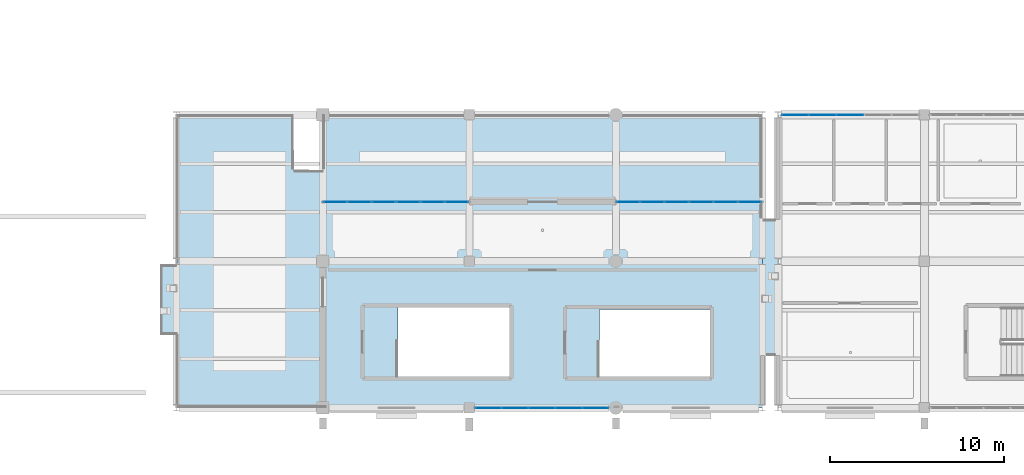
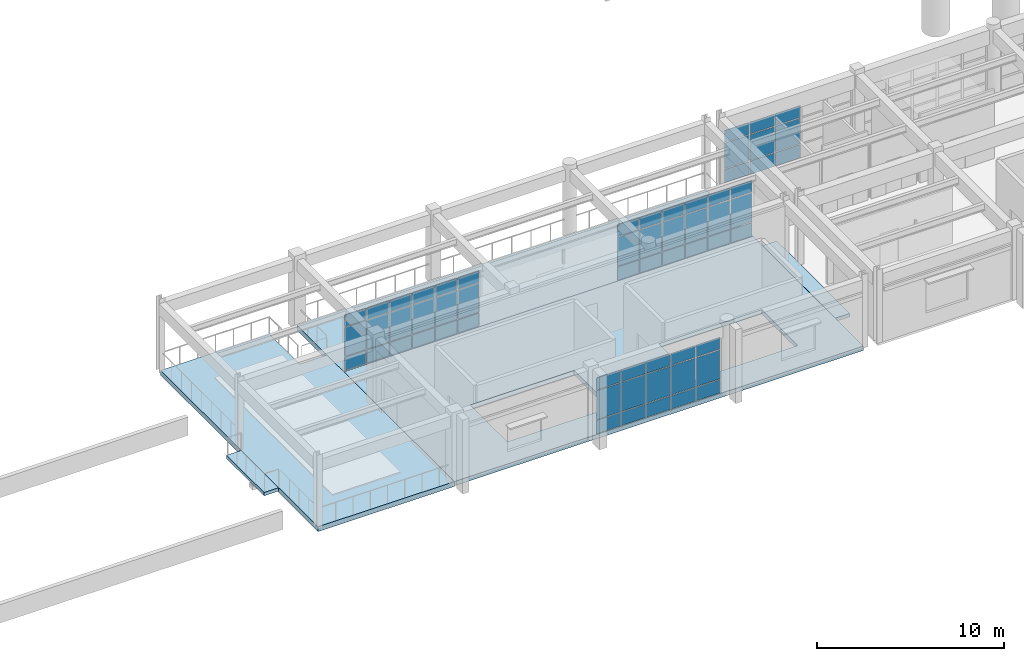
# One storey, part 90 of 139: 60 plates, 5 slabs, 4 elements without a shape of their own.
"""IFC4 building model written with IfcOpenShell, lengths in metres."""

from ifc_helpers import new_model, si_unit, direction, frame, origin, origin_2d, place, context, subcontext, project, spatial, polyline, rectangle, outline, extrude, material, layer, layer_set, type_object, element, aggregate, save


model = new_model("IFC4")

# Units and contexts
model_context = context("Model", 3, precision=1e-05, world=origin(), true_north=direction((0.0, 1.0)))
body_context = subcontext(model_context, "Body", "Model", "MODEL_VIEW")
ifc_project = project(units=[si_unit("LENGTHUNIT", "METRE"), si_unit("AREAUNIT", "SQUARE_METRE"), si_unit("VOLUMEUNIT", "CUBIC_METRE"), si_unit("PLANEANGLEUNIT", "RADIAN"), si_unit("MASSUNIT", "GRAM", prefix="KILO")], contexts=[model_context])

# Site, building, storey
site_placement = place(None, origin())
site = spatial("IfcSite", under=ifc_project, at=site_placement, CompositionType="ELEMENT")
building_placement = place(site_placement, origin())
building = spatial("IfcBuilding", under=site, at=building_placement, Name="Canglan Escarpment Cableway Terminal", CompositionType="ELEMENT")
storey_placement = place(building_placement, frame((0.0, 0.0, 14.39990234375)))
storey = spatial("IfcBuildingStorey", under=building, at=storey_placement, Name="L03", CompositionType="ELEMENT", Elevation=14.39990234375)

# Curtain wall, plates
ifc_material_1 = material(Name="Anodized bronze aluminium and Low-E double glazing", Category="aluminium")
curtain_wall_type_1 = type_object("IfcCurtainWallType", Name="CW-BAY-8400x3725", PredefinedType="NOTDEFINED", material=ifc_material_1)
curtain_wall_1_placement = place(storey_placement, origin())
curtain_wall_1 = element("IfcCurtainWall", 1, at=curtain_wall_1_placement, inside=storey, type_object=curtain_wall_type_1, Name="Classical bay-between-piers glazed curtain wall CW-14", PredefinedType="NOTDEFINED")
ifc_material_2 = material(Name="Double-silver Low-E laminated insulating glass", Category="glass")
ifc_layer_1 = layer(ifc_material_2, 0.028076171875, Name="Double-silver Low-E laminated insulating glass")
ifc_layer_set_1 = layer_set([ifc_layer_1], Name="Double-silver Low-E laminated insulating glass")
plate_type_1 = type_object("IfcPlateType", Name="CWP-02", PredefinedType="CURTAIN_PANEL", material=ifc_layer_set_1)
plate_1_placement = place(storey_placement, frame((93.083740234375, 19.800048828125, 0.065185546875), z_axis=(0.0, 0.0, 1.0), x_axis=(-1.0, 0.0, 0.0)))
plate_1 = element("IfcPlate", 2, at=plate_1_placement, type_object=plate_type_1, Name="CW-14 panel 1.1", PredefinedType="CURTAIN_PANEL", context=body_context, shape_type="SweptSolid", body=[
    extrude(rectangle(XDim=1.302490234375, YDim=0.028076171875, at=origin_2d()), origin(), (0.0, 0.0, 1.0), 0.8525390625),
])
plate_2_placement = place(storey_placement, frame((93.083740234375, 19.800048828125, 0.982421875), z_axis=(0.0, 0.0, 1.0), x_axis=(-1.0, 0.0, 0.0)))
plate_2 = element("IfcPlate", 3, at=plate_2_placement, type_object=plate_type_1, Name="CW-14 panel 1.2", PredefinedType="CURTAIN_PANEL", context=body_context, shape_type="SweptSolid", body=[
    extrude(rectangle(XDim=1.302490234375, YDim=0.028076171875, at=origin_2d()), origin(), (0.0, 0.0, 1.0), 1.8701171875),
])
plate_3_placement = place(storey_placement, frame((93.083740234375, 19.800048828125, 2.917724609375), z_axis=(0.0, 0.0, 1.0), x_axis=(-1.0, 0.0, 0.0)))
plate_3 = element("IfcPlate", 4, at=plate_3_placement, type_object=plate_type_1, Name="CW-14 panel 1.3", PredefinedType="CURTAIN_PANEL", context=body_context, shape_type="SweptSolid", body=[
    extrude(rectangle(XDim=1.302490234375, YDim=0.028076171875, at=origin_2d()), origin(), (0.0, 0.0, 1.0), 0.75244140625),
])
plate_4_placement = place(storey_placement, frame((91.699951171875, 19.800048828125, 0.065185546875), z_axis=(0.0, 0.0, 1.0), x_axis=(-1.0, 0.0, 0.0)))
plate_4 = element("IfcPlate", 5, at=plate_4_placement, type_object=plate_type_1, Name="CW-14 panel 2.1", PredefinedType="CURTAIN_PANEL", context=body_context, shape_type="SweptSolid", body=[
    extrude(rectangle(XDim=1.3349609375, YDim=0.028076171875, at=origin_2d()), origin(), (0.0, 0.0, 1.0), 0.8525390625),
])
plate_5_placement = place(storey_placement, frame((91.699951171875, 19.800048828125, 0.982421875), z_axis=(0.0, 0.0, 1.0), x_axis=(-1.0, 0.0, 0.0)))
plate_5 = element("IfcPlate", 6, at=plate_5_placement, type_object=plate_type_1, Name="CW-14 panel 2.2", PredefinedType="CURTAIN_PANEL", context=body_context, shape_type="SweptSolid", body=[
    extrude(rectangle(XDim=1.3349609375, YDim=0.028076171875, at=origin_2d()), origin(), (0.0, 0.0, 1.0), 1.8701171875),
])
plate_6_placement = place(storey_placement, frame((91.699951171875, 19.800048828125, 2.917724609375), z_axis=(0.0, 0.0, 1.0), x_axis=(-1.0, 0.0, 0.0)))
plate_6 = element("IfcPlate", 7, at=plate_6_placement, type_object=plate_type_1, Name="CW-14 panel 2.3", PredefinedType="CURTAIN_PANEL", context=body_context, shape_type="SweptSolid", body=[
    extrude(rectangle(XDim=1.3349609375, YDim=0.028076171875, at=origin_2d()), origin(), (0.0, 0.0, 1.0), 0.75244140625),
])
plate_7_placement = place(storey_placement, frame((90.300048828125, 19.800048828125, 0.065185546875), z_axis=(0.0, 0.0, 1.0), x_axis=(-1.0, 0.0, 0.0)))
plate_7 = element("IfcPlate", 8, at=plate_7_placement, type_object=plate_type_1, Name="CW-14 panel 3.1", PredefinedType="CURTAIN_PANEL", context=body_context, shape_type="SweptSolid", body=[
    extrude(rectangle(XDim=1.3349609375, YDim=0.028076171875, at=origin_2d()), origin(), (0.0, 0.0, 1.0), 0.8525390625),
])
plate_8_placement = place(storey_placement, frame((90.300048828125, 19.800048828125, 0.982421875), z_axis=(0.0, 0.0, 1.0), x_axis=(-1.0, 0.0, 0.0)))
plate_8 = element("IfcPlate", 9, at=plate_8_placement, type_object=plate_type_1, Name="CW-14 panel 3.2", PredefinedType="CURTAIN_PANEL", context=body_context, shape_type="SweptSolid", body=[
    extrude(rectangle(XDim=1.3349609375, YDim=0.028076171875, at=origin_2d()), origin(), (0.0, 0.0, 1.0), 1.8701171875),
])
plate_9_placement = place(storey_placement, frame((90.300048828125, 19.800048828125, 2.917724609375), z_axis=(0.0, 0.0, 1.0), x_axis=(-1.0, 0.0, 0.0)))
plate_9 = element("IfcPlate", 10, at=plate_9_placement, type_object=plate_type_1, Name="CW-14 panel 3.3", PredefinedType="CURTAIN_PANEL", context=body_context, shape_type="SweptSolid", body=[
    extrude(rectangle(XDim=1.3349609375, YDim=0.028076171875, at=origin_2d()), origin(), (0.0, 0.0, 1.0), 0.75244140625),
])
plate_10_placement = place(storey_placement, frame((88.89990234375, 19.800048828125, 0.065185546875), z_axis=(0.0, 0.0, 1.0), x_axis=(-1.0, 0.0, 0.0)))
plate_10 = element("IfcPlate", 11, at=plate_10_placement, type_object=plate_type_1, Name="CW-14 panel 4.1", PredefinedType="CURTAIN_PANEL", context=body_context, shape_type="SweptSolid", body=[
    extrude(rectangle(XDim=1.3349609375, YDim=0.028076171875, at=origin_2d()), origin(), (0.0, 0.0, 1.0), 0.8525390625),
])
plate_11_placement = place(storey_placement, frame((88.89990234375, 19.800048828125, 0.982421875), z_axis=(0.0, 0.0, 1.0), x_axis=(-1.0, 0.0, 0.0)))
plate_11 = element("IfcPlate", 12, at=plate_11_placement, type_object=plate_type_1, Name="CW-14 panel 4.2", PredefinedType="CURTAIN_PANEL", context=body_context, shape_type="SweptSolid", body=[
    extrude(rectangle(XDim=1.3349609375, YDim=0.028076171875, at=origin_2d()), origin(), (0.0, 0.0, 1.0), 1.8701171875),
])
plate_12_placement = place(storey_placement, frame((88.89990234375, 19.800048828125, 2.917724609375), z_axis=(0.0, 0.0, 1.0), x_axis=(-1.0, 0.0, 0.0)))
plate_12 = element("IfcPlate", 13, at=plate_12_placement, type_object=plate_type_1, Name="CW-14 panel 4.3", PredefinedType="CURTAIN_PANEL", context=body_context, shape_type="SweptSolid", body=[
    extrude(rectangle(XDim=1.3349609375, YDim=0.028076171875, at=origin_2d()), origin(), (0.0, 0.0, 1.0), 0.75244140625),
])
plate_13_placement = place(storey_placement, frame((87.5, 19.800048828125, 0.065185546875), z_axis=(0.0, 0.0, 1.0), x_axis=(-1.0, 0.0, 0.0)))
plate_13 = element("IfcPlate", 14, at=plate_13_placement, type_object=plate_type_1, Name="CW-14 panel 5.1", PredefinedType="CURTAIN_PANEL", context=body_context, shape_type="SweptSolid", body=[
    extrude(rectangle(XDim=1.3349609375, YDim=0.028076171875, at=origin_2d()), origin(), (0.0, 0.0, 1.0), 0.8525390625),
])
plate_14_placement = place(storey_placement, frame((87.5, 19.800048828125, 0.982421875), z_axis=(0.0, 0.0, 1.0), x_axis=(-1.0, 0.0, 0.0)))
plate_14 = element("IfcPlate", 15, at=plate_14_placement, type_object=plate_type_1, Name="CW-14 panel 5.2", PredefinedType="CURTAIN_PANEL", context=body_context, shape_type="SweptSolid", body=[
    extrude(rectangle(XDim=1.3349609375, YDim=0.028076171875, at=origin_2d()), origin(), (0.0, 0.0, 1.0), 1.8701171875),
])
plate_15_placement = place(storey_placement, frame((87.5, 19.800048828125, 2.917724609375), z_axis=(0.0, 0.0, 1.0), x_axis=(-1.0, 0.0, 0.0)))
plate_15 = element("IfcPlate", 16, at=plate_15_placement, type_object=plate_type_1, Name="CW-14 panel 5.3", PredefinedType="CURTAIN_PANEL", context=body_context, shape_type="SweptSolid", body=[
    extrude(rectangle(XDim=1.3349609375, YDim=0.028076171875, at=origin_2d()), origin(), (0.0, 0.0, 1.0), 0.75244140625),
])
plate_16_placement = place(storey_placement, frame((86.1162109375, 19.800048828125, 0.065185546875), z_axis=(0.0, 0.0, 1.0), x_axis=(-1.0, 0.0, 0.0)))
plate_16 = element("IfcPlate", 17, at=plate_16_placement, type_object=plate_type_1, Name="CW-14 panel 6.1", PredefinedType="CURTAIN_PANEL", context=body_context, shape_type="SweptSolid", body=[
    extrude(rectangle(XDim=1.302490234375, YDim=0.028076171875, at=origin_2d()), origin(), (0.0, 0.0, 1.0), 0.8525390625),
])
plate_17_placement = place(storey_placement, frame((86.1162109375, 19.800048828125, 0.982421875), z_axis=(0.0, 0.0, 1.0), x_axis=(-1.0, 0.0, 0.0)))
plate_17 = element("IfcPlate", 18, at=plate_17_placement, type_object=plate_type_1, Name="CW-14 panel 6.2", PredefinedType="CURTAIN_PANEL", context=body_context, shape_type="SweptSolid", body=[
    extrude(rectangle(XDim=1.302490234375, YDim=0.028076171875, at=origin_2d()), origin(), (0.0, 0.0, 1.0), 1.8701171875),
])
plate_18_placement = place(storey_placement, frame((86.1162109375, 19.800048828125, 2.917724609375), z_axis=(0.0, 0.0, 1.0), x_axis=(-1.0, 0.0, 0.0)))
plate_18 = element("IfcPlate", 19, at=plate_18_placement, type_object=plate_type_1, Name="CW-14 panel 6.3", PredefinedType="CURTAIN_PANEL", context=body_context, shape_type="SweptSolid", body=[
    extrude(rectangle(XDim=1.302490234375, YDim=0.028076171875, at=origin_2d()), origin(), (0.0, 0.0, 1.0), 0.75244140625),
])
aggregate(curtain_wall_1, [plate_1, plate_2, plate_3, plate_4, plate_5, plate_6, plate_7, plate_8, plate_9, plate_10, plate_11, plate_12, plate_13, plate_14, plate_15, plate_16, plate_17, plate_18])

curtain_wall_type_2 = type_object("IfcCurtainWallType", Name="CW-BAY-7725x3725", PredefinedType="NOTDEFINED", material=ifc_material_1)
curtain_wall_2_placement = place(storey_placement, origin())
curtain_wall_2 = element("IfcCurtainWall", 20, at=curtain_wall_2_placement, inside=storey, type_object=curtain_wall_type_2, Name="Classical bay-between-piers glazed curtain wall CW-13", PredefinedType="NOTDEFINED")
ifc_layer_2 = layer(ifc_material_2, 0.031982421875, Name="Double-silver Low-E laminated insulating glass")
ifc_layer_set_2 = layer_set([ifc_layer_2], Name="Double-silver Low-E laminated insulating glass")
plate_type_2 = type_object("IfcPlateType", Name="CWP-03", PredefinedType="CURTAIN_PANEL", material=ifc_layer_set_2)
plate_19_placement = place(storey_placement, frame((94.887451171875, 8.0, 0.05517578125), z_axis=(0.0, 0.0, 1.0), x_axis=(1.0, 0.0, 0.0)))
plate_19 = element("IfcPlate", 21, at=plate_19_placement, type_object=plate_type_2, Name="CW-13 panel 1.1", PredefinedType="CURTAIN_PANEL", context=body_context, shape_type="SweptSolid", body=[
    extrude(rectangle(XDim=1.455078125, YDim=0.031982421875, at=origin_2d()), origin(), (0.0, 0.0, 1.0), 0.867431640625),
])
plate_20_placement = place(storey_placement, frame((94.887451171875, 8.0, 0.9775390625), z_axis=(0.0, 0.0, 1.0), x_axis=(1.0, 0.0, 0.0)))
plate_20 = element("IfcPlate", 22, at=plate_20_placement, type_object=plate_type_2, Name="CW-13 panel 1.2", PredefinedType="CURTAIN_PANEL", context=body_context, shape_type="SweptSolid", body=[
    extrude(rectangle(XDim=1.455078125, YDim=0.031982421875, at=origin_2d()), origin(), (0.0, 0.0, 1.0), 1.8798828125),
])
plate_21_placement = place(storey_placement, frame((94.887451171875, 8.0, 2.91259765625), z_axis=(0.0, 0.0, 1.0), x_axis=(1.0, 0.0, 0.0)))
plate_21 = element("IfcPlate", 23, at=plate_21_placement, type_object=plate_type_2, Name="CW-13 panel 1.3", PredefinedType="CURTAIN_PANEL", context=body_context, shape_type="SweptSolid", body=[
    extrude(rectangle(XDim=1.455078125, YDim=0.031982421875, at=origin_2d()), origin(), (0.0, 0.0, 1.0), 0.767578125),
])
plate_22_placement = place(storey_placement, frame((96.41748046875, 8.0, 0.05517578125), z_axis=(0.0, 0.0, 1.0), x_axis=(1.0, 0.0, 0.0)))
plate_22 = element("IfcPlate", 24, at=plate_22_placement, type_object=plate_type_2, Name="CW-13 panel 2.1", PredefinedType="CURTAIN_PANEL", context=body_context, shape_type="SweptSolid", body=[
    extrude(rectangle(XDim=1.485107421875, YDim=0.031982421875, at=origin_2d()), origin(), (0.0, 0.0, 1.0), 0.867431640625),
])
plate_23_placement = place(storey_placement, frame((96.41748046875, 8.0, 0.9775390625), z_axis=(0.0, 0.0, 1.0), x_axis=(1.0, 0.0, 0.0)))
plate_23 = element("IfcPlate", 25, at=plate_23_placement, type_object=plate_type_2, Name="CW-13 panel 2.2", PredefinedType="CURTAIN_PANEL", context=body_context, shape_type="SweptSolid", body=[
    extrude(rectangle(XDim=1.485107421875, YDim=0.031982421875, at=origin_2d()), origin(), (0.0, 0.0, 1.0), 1.8798828125),
])
plate_24_placement = place(storey_placement, frame((96.41748046875, 8.0, 2.91259765625), z_axis=(0.0, 0.0, 1.0), x_axis=(1.0, 0.0, 0.0)))
plate_24 = element("IfcPlate", 26, at=plate_24_placement, type_object=plate_type_2, Name="CW-13 panel 2.3", PredefinedType="CURTAIN_PANEL", context=body_context, shape_type="SweptSolid", body=[
    extrude(rectangle(XDim=1.485107421875, YDim=0.031982421875, at=origin_2d()), origin(), (0.0, 0.0, 1.0), 0.767578125),
])
plate_25_placement = place(storey_placement, frame((97.96240234375, 8.0, 0.05517578125), z_axis=(0.0, 0.0, 1.0), x_axis=(1.0, 0.0, 0.0)))
plate_25 = element("IfcPlate", 27, at=plate_25_placement, type_object=plate_type_2, Name="CW-13 panel 3.1", PredefinedType="CURTAIN_PANEL", context=body_context, shape_type="SweptSolid", body=[
    extrude(rectangle(XDim=1.485107421875, YDim=0.031982421875, at=origin_2d()), origin(), (0.0, 0.0, 1.0), 0.867431640625),
])
plate_26_placement = place(storey_placement, frame((97.96240234375, 8.0, 0.9775390625), z_axis=(0.0, 0.0, 1.0), x_axis=(1.0, 0.0, 0.0)))
plate_26 = element("IfcPlate", 28, at=plate_26_placement, type_object=plate_type_2, Name="CW-13 panel 3.2", PredefinedType="CURTAIN_PANEL", context=body_context, shape_type="SweptSolid", body=[
    extrude(rectangle(XDim=1.485107421875, YDim=0.031982421875, at=origin_2d()), origin(), (0.0, 0.0, 1.0), 1.8798828125),
])
plate_27_placement = place(storey_placement, frame((97.96240234375, 8.0, 2.91259765625), z_axis=(0.0, 0.0, 1.0), x_axis=(1.0, 0.0, 0.0)))
plate_27 = element("IfcPlate", 29, at=plate_27_placement, type_object=plate_type_2, Name="CW-13 panel 3.3", PredefinedType="CURTAIN_PANEL", context=body_context, shape_type="SweptSolid", body=[
    extrude(rectangle(XDim=1.485107421875, YDim=0.031982421875, at=origin_2d()), origin(), (0.0, 0.0, 1.0), 0.767578125),
])
plate_28_placement = place(storey_placement, frame((99.507568359375, 8.0, 0.05517578125), z_axis=(0.0, 0.0, 1.0), x_axis=(1.0, 0.0, 0.0)))
plate_28 = element("IfcPlate", 30, at=plate_28_placement, type_object=plate_type_2, Name="CW-13 panel 4.1", PredefinedType="CURTAIN_PANEL", context=body_context, shape_type="SweptSolid", body=[
    extrude(rectangle(XDim=1.485107421875, YDim=0.031982421875, at=origin_2d()), origin(), (0.0, 0.0, 1.0), 0.867431640625),
])
plate_29_placement = place(storey_placement, frame((99.507568359375, 8.0, 0.9775390625), z_axis=(0.0, 0.0, 1.0), x_axis=(1.0, 0.0, 0.0)))
plate_29 = element("IfcPlate", 31, at=plate_29_placement, type_object=plate_type_2, Name="CW-13 panel 4.2", PredefinedType="CURTAIN_PANEL", context=body_context, shape_type="SweptSolid", body=[
    extrude(rectangle(XDim=1.485107421875, YDim=0.031982421875, at=origin_2d()), origin(), (0.0, 0.0, 1.0), 1.8798828125),
])
plate_30_placement = place(storey_placement, frame((99.507568359375, 8.0, 2.91259765625), z_axis=(0.0, 0.0, 1.0), x_axis=(1.0, 0.0, 0.0)))
plate_30 = element("IfcPlate", 32, at=plate_30_placement, type_object=plate_type_2, Name="CW-13 panel 4.3", PredefinedType="CURTAIN_PANEL", context=body_context, shape_type="SweptSolid", body=[
    extrude(rectangle(XDim=1.485107421875, YDim=0.031982421875, at=origin_2d()), origin(), (0.0, 0.0, 1.0), 0.767578125),
])
plate_31_placement = place(storey_placement, frame((101.03759765625, 8.0, 0.05517578125), z_axis=(0.0, 0.0, 1.0), x_axis=(1.0, 0.0, 0.0)))
plate_31 = element("IfcPlate", 33, at=plate_31_placement, type_object=plate_type_2, Name="CW-13 panel 5.1", PredefinedType="CURTAIN_PANEL", context=body_context, shape_type="SweptSolid", body=[
    extrude(rectangle(XDim=1.455078125, YDim=0.031982421875, at=origin_2d()), origin(), (0.0, 0.0, 1.0), 0.867431640625),
])
plate_32_placement = place(storey_placement, frame((101.03759765625, 8.0, 0.9775390625), z_axis=(0.0, 0.0, 1.0), x_axis=(1.0, 0.0, 0.0)))
plate_32 = element("IfcPlate", 34, at=plate_32_placement, type_object=plate_type_2, Name="CW-13 panel 5.2", PredefinedType="CURTAIN_PANEL", context=body_context, shape_type="SweptSolid", body=[
    extrude(rectangle(XDim=1.455078125, YDim=0.031982421875, at=origin_2d()), origin(), (0.0, 0.0, 1.0), 1.8798828125),
])
plate_33_placement = place(storey_placement, frame((101.03759765625, 8.0, 2.91259765625), z_axis=(0.0, 0.0, 1.0), x_axis=(1.0, 0.0, 0.0)))
plate_33 = element("IfcPlate", 35, at=plate_33_placement, type_object=plate_type_2, Name="CW-13 panel 5.3", PredefinedType="CURTAIN_PANEL", context=body_context, shape_type="SweptSolid", body=[
    extrude(rectangle(XDim=1.455078125, YDim=0.031982421875, at=origin_2d()), origin(), (0.0, 0.0, 1.0), 0.767578125),
])
aggregate(curtain_wall_2, [plate_19, plate_20, plate_21, plate_22, plate_23, plate_24, plate_25, plate_26, plate_27, plate_28, plate_29, plate_30, plate_31, plate_32, plate_33])

curtain_wall_type_3 = type_object("IfcCurtainWallType", Name="CW-BAY-7925x3525", PredefinedType="NOTDEFINED", material=ifc_material_1)
curtain_wall_3_placement = place(storey_placement, origin())
curtain_wall_3 = element("IfcCurtainWall", 36, at=curtain_wall_3_placement, inside=storey, type_object=curtain_wall_type_3, Name="Classical bay-between-piers glazed curtain wall CW-17", PredefinedType="NOTDEFINED")
plate_34_placement = place(storey_placement, frame((115.637451171875, 24.800048828125, 0.05517578125), z_axis=(0.0, 0.0, 1.0), x_axis=(-1.0, 0.0, 0.0)))
plate_34 = element("IfcPlate", 37, at=plate_34_placement, type_object=plate_type_2, Name="CW-17 panel 3.1", PredefinedType="CURTAIN_PANEL", context=body_context, shape_type="SweptSolid", body=[
    extrude(rectangle(XDim=1.52490234375, YDim=0.031982421875, at=origin_2d()), origin(), (0.0, 0.0, 1.0), 0.867431640625),
])
plate_35_placement = place(storey_placement, frame((115.637451171875, 24.800048828125, 0.9775390625), z_axis=(0.0, 0.0, 1.0), x_axis=(-1.0, 0.0, 0.0)))
plate_35 = element("IfcPlate", 38, at=plate_35_placement, type_object=plate_type_2, Name="CW-17 panel 3.2", PredefinedType="CURTAIN_PANEL", context=body_context, shape_type="SweptSolid", body=[
    extrude(rectangle(XDim=1.52490234375, YDim=0.031982421875, at=origin_2d()), origin(), (0.0, 0.0, 1.0), 1.659912109375),
])
plate_36_placement = place(storey_placement, frame((115.637451171875, 24.800048828125, 2.692626953125), z_axis=(0.0, 0.0, 1.0), x_axis=(-1.0, 0.0, 0.0)))
plate_36 = element("IfcPlate", 39, at=plate_36_placement, type_object=plate_type_2, Name="CW-17 panel 3.3", PredefinedType="CURTAIN_PANEL", context=body_context, shape_type="SweptSolid", body=[
    extrude(rectangle(XDim=1.52490234375, YDim=0.031982421875, at=origin_2d()), origin(), (0.0, 0.0, 1.0), 0.767578125),
])
plate_37_placement = place(storey_placement, frame((114.052490234375, 24.800048828125, 0.05517578125), z_axis=(0.0, 0.0, 1.0), x_axis=(-1.0, 0.0, 0.0)))
plate_37 = element("IfcPlate", 40, at=plate_37_placement, type_object=plate_type_2, Name="CW-17 panel 4.1", PredefinedType="CURTAIN_PANEL", context=body_context, shape_type="SweptSolid", body=[
    extrude(rectangle(XDim=1.52490234375, YDim=0.031982421875, at=origin_2d()), origin(), (0.0, 0.0, 1.0), 0.867431640625),
])
plate_38_placement = place(storey_placement, frame((114.052490234375, 24.800048828125, 0.9775390625), z_axis=(0.0, 0.0, 1.0), x_axis=(-1.0, 0.0, 0.0)))
plate_38 = element("IfcPlate", 41, at=plate_38_placement, type_object=plate_type_2, Name="CW-17 panel 4.2", PredefinedType="CURTAIN_PANEL", context=body_context, shape_type="SweptSolid", body=[
    extrude(rectangle(XDim=1.52490234375, YDim=0.031982421875, at=origin_2d()), origin(), (0.0, 0.0, 1.0), 1.659912109375),
])
plate_39_placement = place(storey_placement, frame((114.052490234375, 24.800048828125, 2.692626953125), z_axis=(0.0, 0.0, 1.0), x_axis=(-1.0, 0.0, 0.0)))
plate_39 = element("IfcPlate", 42, at=plate_39_placement, type_object=plate_type_2, Name="CW-17 panel 4.3", PredefinedType="CURTAIN_PANEL", context=body_context, shape_type="SweptSolid", body=[
    extrude(rectangle(XDim=1.52490234375, YDim=0.031982421875, at=origin_2d()), origin(), (0.0, 0.0, 1.0), 0.767578125),
])
plate_40_placement = place(storey_placement, frame((112.482421875, 24.800048828125, 0.05517578125), z_axis=(0.0, 0.0, 1.0), x_axis=(-1.0, 0.0, 0.0)))
plate_40 = element("IfcPlate", 43, at=plate_40_placement, type_object=plate_type_2, Name="CW-17 panel 5.1", PredefinedType="CURTAIN_PANEL", context=body_context, shape_type="SweptSolid", body=[
    extrude(rectangle(XDim=1.4951171875, YDim=0.031982421875, at=origin_2d()), origin(), (0.0, 0.0, 1.0), 0.867431640625),
])
plate_41_placement = place(storey_placement, frame((112.482421875, 24.800048828125, 0.9775390625), z_axis=(0.0, 0.0, 1.0), x_axis=(-1.0, 0.0, 0.0)))
plate_41 = element("IfcPlate", 44, at=plate_41_placement, type_object=plate_type_2, Name="CW-17 panel 5.2", PredefinedType="CURTAIN_PANEL", context=body_context, shape_type="SweptSolid", body=[
    extrude(rectangle(XDim=1.4951171875, YDim=0.031982421875, at=origin_2d()), origin(), (0.0, 0.0, 1.0), 1.659912109375),
])
plate_42_placement = place(storey_placement, frame((112.482421875, 24.800048828125, 2.692626953125), z_axis=(0.0, 0.0, 1.0), x_axis=(-1.0, 0.0, 0.0)))
plate_42 = element("IfcPlate", 45, at=plate_42_placement, type_object=plate_type_2, Name="CW-17 panel 5.3", PredefinedType="CURTAIN_PANEL", context=body_context, shape_type="SweptSolid", body=[
    extrude(rectangle(XDim=1.4951171875, YDim=0.031982421875, at=origin_2d()), origin(), (0.0, 0.0, 1.0), 0.767578125),
])
aggregate(curtain_wall_3, [plate_34, plate_35, plate_36, plate_37, plate_38, plate_39, plate_40, plate_41, plate_42])

curtain_wall_4_placement = place(storey_placement, origin())
curtain_wall_4 = element("IfcCurtainWall", 46, at=curtain_wall_4_placement, inside=storey, type_object=curtain_wall_type_1, Name="Classical bay-between-piers glazed curtain wall CW-14", PredefinedType="NOTDEFINED")
ifc_layer_3 = layer(ifc_material_2, 0.035888671875, Name="Double-silver Low-E laminated insulating glass")
ifc_layer_set_3 = layer_set([ifc_layer_3], Name="Double-silver Low-E laminated insulating glass")
plate_type_3 = type_object("IfcPlateType", Name="CWP-04", PredefinedType="CURTAIN_PANEL", material=ifc_layer_set_3)
plate_43_placement = place(storey_placement, frame((109.8837890625, 19.800048828125, 0.06005859375), z_axis=(0.0, 0.0, 1.0), x_axis=(-1.0, 0.0, 0.0)))
plate_43 = element("IfcPlate", 47, at=plate_43_placement, type_object=plate_type_3, Name="CW-14 panel 1.1", PredefinedType="CURTAIN_PANEL", context=body_context, shape_type="SweptSolid", body=[
    extrude(rectangle(XDim=1.302490234375, YDim=0.035888671875, at=origin_2d()), origin(), (0.0, 0.0, 1.0), 0.860107421875),
])
plate_44_placement = place(storey_placement, frame((109.8837890625, 19.800048828125, 0.97998046875), z_axis=(0.0, 0.0, 1.0), x_axis=(-1.0, 0.0, 0.0)))
plate_44 = element("IfcPlate", 48, at=plate_44_placement, type_object=plate_type_3, Name="CW-14 panel 1.2", PredefinedType="CURTAIN_PANEL", context=body_context, shape_type="SweptSolid", body=[
    extrude(rectangle(XDim=1.302490234375, YDim=0.035888671875, at=origin_2d()), origin(), (0.0, 0.0, 1.0), 1.875),
])
plate_45_placement = place(storey_placement, frame((109.8837890625, 19.800048828125, 2.9150390625), z_axis=(0.0, 0.0, 1.0), x_axis=(-1.0, 0.0, 0.0)))
plate_45 = element("IfcPlate", 49, at=plate_45_placement, type_object=plate_type_3, Name="CW-14 panel 1.3", PredefinedType="CURTAIN_PANEL", context=body_context, shape_type="SweptSolid", body=[
    extrude(rectangle(XDim=1.302490234375, YDim=0.035888671875, at=origin_2d()), origin(), (0.0, 0.0, 1.0), 0.760009765625),
])
plate_46_placement = place(storey_placement, frame((108.5, 19.800048828125, 0.06005859375), z_axis=(0.0, 0.0, 1.0), x_axis=(-1.0, 0.0, 0.0)))
plate_46 = element("IfcPlate", 50, at=plate_46_placement, type_object=plate_type_3, Name="CW-14 panel 2.1", PredefinedType="CURTAIN_PANEL", context=body_context, shape_type="SweptSolid", body=[
    extrude(rectangle(XDim=1.3349609375, YDim=0.035888671875, at=origin_2d()), origin(), (0.0, 0.0, 1.0), 0.860107421875),
])
plate_47_placement = place(storey_placement, frame((108.5, 19.800048828125, 0.97998046875), z_axis=(0.0, 0.0, 1.0), x_axis=(-1.0, 0.0, 0.0)))
plate_47 = element("IfcPlate", 51, at=plate_47_placement, type_object=plate_type_3, Name="CW-14 panel 2.2", PredefinedType="CURTAIN_PANEL", context=body_context, shape_type="SweptSolid", body=[
    extrude(rectangle(XDim=1.3349609375, YDim=0.035888671875, at=origin_2d()), origin(), (0.0, 0.0, 1.0), 1.875),
])
plate_48_placement = place(storey_placement, frame((108.5, 19.800048828125, 2.9150390625), z_axis=(0.0, 0.0, 1.0), x_axis=(-1.0, 0.0, 0.0)))
plate_48 = element("IfcPlate", 52, at=plate_48_placement, type_object=plate_type_3, Name="CW-14 panel 2.3", PredefinedType="CURTAIN_PANEL", context=body_context, shape_type="SweptSolid", body=[
    extrude(rectangle(XDim=1.3349609375, YDim=0.035888671875, at=origin_2d()), origin(), (0.0, 0.0, 1.0), 0.760009765625),
])
plate_49_placement = place(storey_placement, frame((107.10009765625, 19.800048828125, 0.06005859375), z_axis=(0.0, 0.0, 1.0), x_axis=(-1.0, 0.0, 0.0)))
plate_49 = element("IfcPlate", 53, at=plate_49_placement, type_object=plate_type_3, Name="CW-14 panel 3.1", PredefinedType="CURTAIN_PANEL", context=body_context, shape_type="SweptSolid", body=[
    extrude(rectangle(XDim=1.3349609375, YDim=0.035888671875, at=origin_2d()), origin(), (0.0, 0.0, 1.0), 0.860107421875),
])
plate_50_placement = place(storey_placement, frame((107.10009765625, 19.800048828125, 0.97998046875), z_axis=(0.0, 0.0, 1.0), x_axis=(-1.0, 0.0, 0.0)))
plate_50 = element("IfcPlate", 54, at=plate_50_placement, type_object=plate_type_3, Name="CW-14 panel 3.2", PredefinedType="CURTAIN_PANEL", context=body_context, shape_type="SweptSolid", body=[
    extrude(rectangle(XDim=1.3349609375, YDim=0.035888671875, at=origin_2d()), origin(), (0.0, 0.0, 1.0), 1.875),
])
plate_51_placement = place(storey_placement, frame((107.10009765625, 19.800048828125, 2.9150390625), z_axis=(0.0, 0.0, 1.0), x_axis=(-1.0, 0.0, 0.0)))
plate_51 = element("IfcPlate", 55, at=plate_51_placement, type_object=plate_type_3, Name="CW-14 panel 3.3", PredefinedType="CURTAIN_PANEL", context=body_context, shape_type="SweptSolid", body=[
    extrude(rectangle(XDim=1.3349609375, YDim=0.035888671875, at=origin_2d()), origin(), (0.0, 0.0, 1.0), 0.760009765625),
])
plate_52_placement = place(storey_placement, frame((105.699951171875, 19.800048828125, 0.06005859375), z_axis=(0.0, 0.0, 1.0), x_axis=(-1.0, 0.0, 0.0)))
plate_52 = element("IfcPlate", 56, at=plate_52_placement, type_object=plate_type_3, Name="CW-14 panel 4.1", PredefinedType="CURTAIN_PANEL", context=body_context, shape_type="SweptSolid", body=[
    extrude(rectangle(XDim=1.3349609375, YDim=0.035888671875, at=origin_2d()), origin(), (0.0, 0.0, 1.0), 0.860107421875),
])
plate_53_placement = place(storey_placement, frame((105.699951171875, 19.800048828125, 0.97998046875), z_axis=(0.0, 0.0, 1.0), x_axis=(-1.0, 0.0, 0.0)))
plate_53 = element("IfcPlate", 57, at=plate_53_placement, type_object=plate_type_3, Name="CW-14 panel 4.2", PredefinedType="CURTAIN_PANEL", context=body_context, shape_type="SweptSolid", body=[
    extrude(rectangle(XDim=1.3349609375, YDim=0.035888671875, at=origin_2d()), origin(), (0.0, 0.0, 1.0), 1.875),
])
plate_54_placement = place(storey_placement, frame((105.699951171875, 19.800048828125, 2.9150390625), z_axis=(0.0, 0.0, 1.0), x_axis=(-1.0, 0.0, 0.0)))
plate_54 = element("IfcPlate", 58, at=plate_54_placement, type_object=plate_type_3, Name="CW-14 panel 4.3", PredefinedType="CURTAIN_PANEL", context=body_context, shape_type="SweptSolid", body=[
    extrude(rectangle(XDim=1.3349609375, YDim=0.035888671875, at=origin_2d()), origin(), (0.0, 0.0, 1.0), 0.760009765625),
])
plate_55_placement = place(storey_placement, frame((104.300048828125, 19.800048828125, 0.06005859375), z_axis=(0.0, 0.0, 1.0), x_axis=(-1.0, 0.0, 0.0)))
plate_55 = element("IfcPlate", 59, at=plate_55_placement, type_object=plate_type_3, Name="CW-14 panel 5.1", PredefinedType="CURTAIN_PANEL", context=body_context, shape_type="SweptSolid", body=[
    extrude(rectangle(XDim=1.3349609375, YDim=0.035888671875, at=origin_2d()), origin(), (0.0, 0.0, 1.0), 0.860107421875),
])
plate_56_placement = place(storey_placement, frame((104.300048828125, 19.800048828125, 0.97998046875), z_axis=(0.0, 0.0, 1.0), x_axis=(-1.0, 0.0, 0.0)))
plate_56 = element("IfcPlate", 60, at=plate_56_placement, type_object=plate_type_3, Name="CW-14 panel 5.2", PredefinedType="CURTAIN_PANEL", context=body_context, shape_type="SweptSolid", body=[
    extrude(rectangle(XDim=1.3349609375, YDim=0.035888671875, at=origin_2d()), origin(), (0.0, 0.0, 1.0), 1.875),
])
plate_57_placement = place(storey_placement, frame((104.300048828125, 19.800048828125, 2.9150390625), z_axis=(0.0, 0.0, 1.0), x_axis=(-1.0, 0.0, 0.0)))
plate_57 = element("IfcPlate", 61, at=plate_57_placement, type_object=plate_type_3, Name="CW-14 panel 5.3", PredefinedType="CURTAIN_PANEL", context=body_context, shape_type="SweptSolid", body=[
    extrude(rectangle(XDim=1.3349609375, YDim=0.035888671875, at=origin_2d()), origin(), (0.0, 0.0, 1.0), 0.760009765625),
])
plate_58_placement = place(storey_placement, frame((102.916259765625, 19.800048828125, 0.06005859375), z_axis=(0.0, 0.0, 1.0), x_axis=(-1.0, 0.0, 0.0)))
plate_58 = element("IfcPlate", 62, at=plate_58_placement, type_object=plate_type_3, Name="CW-14 panel 6.1", PredefinedType="CURTAIN_PANEL", context=body_context, shape_type="SweptSolid", body=[
    extrude(rectangle(XDim=1.302490234375, YDim=0.035888671875, at=origin_2d()), origin(), (0.0, 0.0, 1.0), 0.860107421875),
])
plate_59_placement = place(storey_placement, frame((102.916259765625, 19.800048828125, 0.97998046875), z_axis=(0.0, 0.0, 1.0), x_axis=(-1.0, 0.0, 0.0)))
plate_59 = element("IfcPlate", 63, at=plate_59_placement, type_object=plate_type_3, Name="CW-14 panel 6.2", PredefinedType="CURTAIN_PANEL", context=body_context, shape_type="SweptSolid", body=[
    extrude(rectangle(XDim=1.302490234375, YDim=0.035888671875, at=origin_2d()), origin(), (0.0, 0.0, 1.0), 1.875),
])
plate_60_placement = place(storey_placement, frame((102.916259765625, 19.800048828125, 2.9150390625), z_axis=(0.0, 0.0, 1.0), x_axis=(-1.0, 0.0, 0.0)))
plate_60 = element("IfcPlate", 64, at=plate_60_placement, type_object=plate_type_3, Name="CW-14 panel 6.3", PredefinedType="CURTAIN_PANEL", context=body_context, shape_type="SweptSolid", body=[
    extrude(rectangle(XDim=1.302490234375, YDim=0.035888671875, at=origin_2d()), origin(), (0.0, 0.0, 1.0), 0.760009765625),
])
aggregate(curtain_wall_4, [plate_43, plate_44, plate_45, plate_46, plate_47, plate_48, plate_49, plate_50, plate_51, plate_52, plate_53, plate_54, plate_55, plate_56, plate_57, plate_58, plate_59, plate_60])

# Slabs
ifc_material_3 = material(Name="Concrete C40", Category="concrete")
ifc_layer_4 = layer(ifc_material_3, 0.280029296875, Name="Concrete C40")
ifc_layer_set_4 = layer_set([ifc_layer_4], Name="Concrete C40")
slab_type_1 = type_object("IfcSlabType", Name="SLB-FLR-280", PredefinedType="FLOOR", material=ifc_layer_set_4)
slab_1_placement = place(storey_placement, frame((0.0, 0.0, -0.27978515625)))
element("IfcSlab", 65, at=slab_1_placement, inside=storey, type_object=slab_type_1, Name="Suspended structural floor slab L03", PredefinedType="FLOOR", context=body_context, shape_type="SweptSolid", body=[
    extrude(outline(polyline([(85.39990234375, 8.0), (110.60009765625, 8.0), (110.60009765625, 19.800048828125), (85.39990234375, 19.800048828125), (85.39990234375, 8.0)]), holes=[polyline([(101.25, 9.800048828125), (101.25, 11.800048828125), (101.256103515625, 11.800048828125), (101.256103515625, 13.64990234375), (107.60009765625, 13.64990234375), (107.60009765625, 11.800048828125), (107.60009765625, 11.780029296875), (107.60009765625, 9.800048828125), (101.25, 9.800048828125)]), polyline([(89.699951171875, 9.800048828125), (89.699951171875, 11.85009765625), (89.7060546875, 11.85009765625), (89.7060546875, 13.75), (96.10009765625, 13.75), (96.10009765625, 11.85009765625), (96.10009765625, 11.830078125), (96.10009765625, 9.800048828125), (89.699951171875, 9.800048828125)])]), origin(), (0.0, 0.0, 1.0), 0.27978515625),
])
ifc_layer_5 = layer(ifc_material_3, 0.320068359375, Name="Concrete C40")
ifc_layer_set_5 = layer_set([ifc_layer_5], Name="Concrete C40")
slab_type_2 = type_object("IfcSlabType", Name="SLB-GARDEN-320", PredefinedType="FLOOR", material=ifc_layer_set_5)
slab_2_placement = place(storey_placement, frame((0.0, 0.0, -0.31982421875)))
element("IfcSlab", 66, at=slab_2_placement, inside=storey, type_object=slab_type_2, Name="Planted roof garden terrace SG-01", PredefinedType="FLOOR", context=body_context, shape_type="SweptSolid", body=[
    extrude(outline(polyline([(77.0, 8.0), (85.39990234375, 8.0), (85.39990234375, 21.60009765625), (83.719970703125, 21.60009765625), (83.719970703125, 24.800048828125), (77.0, 24.800048828125), (77.0, 8.0)])), origin(), (0.0, 0.0, 1.0), 0.31982421875),
])
slab_3_placement = place(storey_placement, frame((0.0, 0.0, -0.31982421875)))
element("IfcSlab", 67, at=slab_3_placement, inside=storey, type_object=slab_type_2, Name="Planted roof garden terrace SG-01", PredefinedType="FLOOR", context=body_context, shape_type="SweptSolid", body=[
    extrude(outline(polyline([(85.39990234375, 19.800048828125), (110.60009765625, 19.800048828125), (110.60009765625, 24.800048828125), (85.39990234375, 24.800048828125), (85.39990234375, 19.800048828125)])), origin(), (0.0, 0.0, 1.0), 0.31982421875),
])
ifc_layer_6 = layer(ifc_material_3, 0.219970703125, Name="Concrete C40")
ifc_layer_set_6 = layer_set([ifc_layer_6], Name="Concrete C40")
slab_type_3 = type_object("IfcSlabType", Name="SLB-LINK-220", PredefinedType="FLOOR", material=ifc_layer_set_6)
slab_4_placement = place(storey_placement, frame((0.0, 0.0, -0.219970703125)))
element("IfcSlab", 68, at=slab_4_placement, inside=storey, type_object=slab_type_3, Name="Movement-joint concourse link slab MJ-S1", PredefinedType="FLOOR", context=body_context, shape_type="SweptSolid", body=[
    extrude(outline(polyline([(76.10009765625, 12.199951171875), (76.10009765625, 16.199951171875), (76.9951171875, 16.199951171875), (76.9951171875, 12.199951171875), (76.10009765625, 12.199951171875)])), origin(), (0.0, 0.0, 1.0), 0.219970703125),
])
slab_5_placement = place(storey_placement, frame((0.0, 0.0, -0.219970703125)))
element("IfcSlab", 69, at=slab_5_placement, inside=storey, type_object=slab_type_3, Name="Movement-joint concourse link slab MJ-S1", PredefinedType="FLOOR", context=body_context, shape_type="SweptSolid", body=[
    extrude(outline(polyline([(111.4951171875, 18.800048828125), (111.4951171875, 11.0), (110.60498046875, 11.0), (110.60498046875, 18.800048828125), (111.4951171875, 18.800048828125)])), origin(), (0.0, 0.0, 1.0), 0.219970703125),
])

save(model, "model.ifc")
